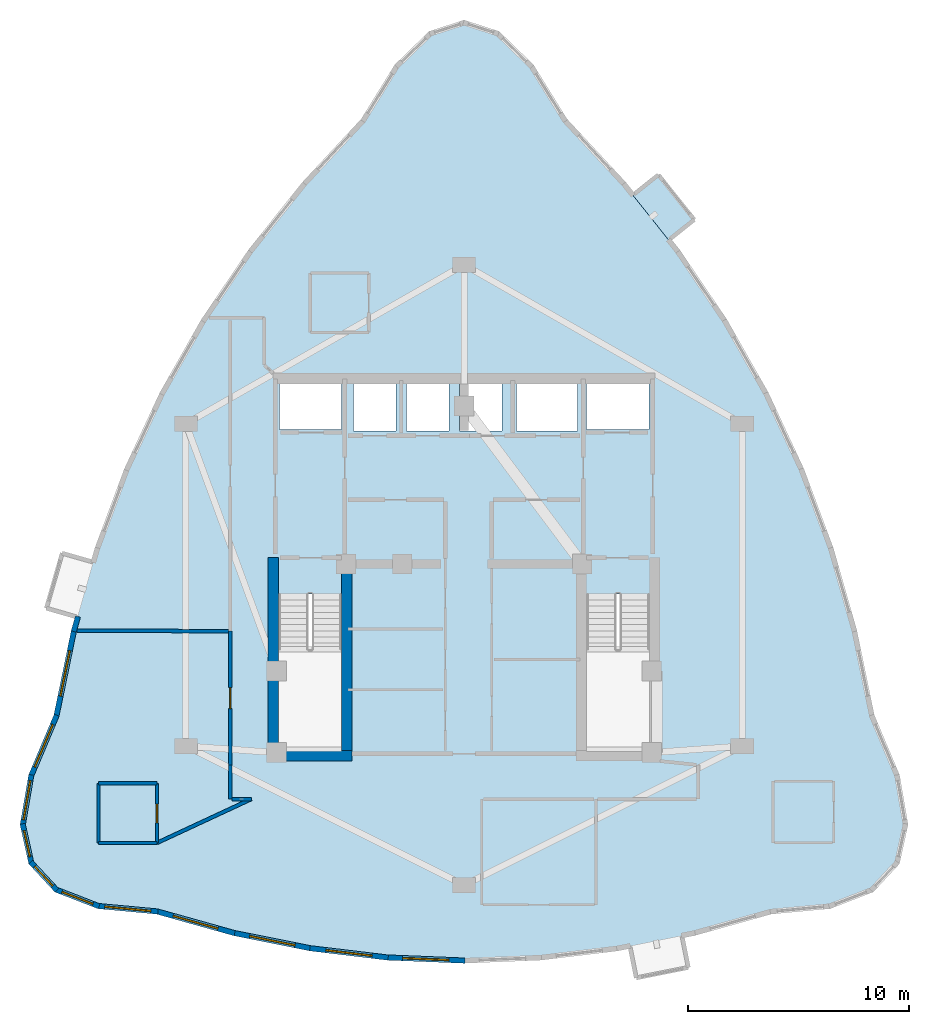
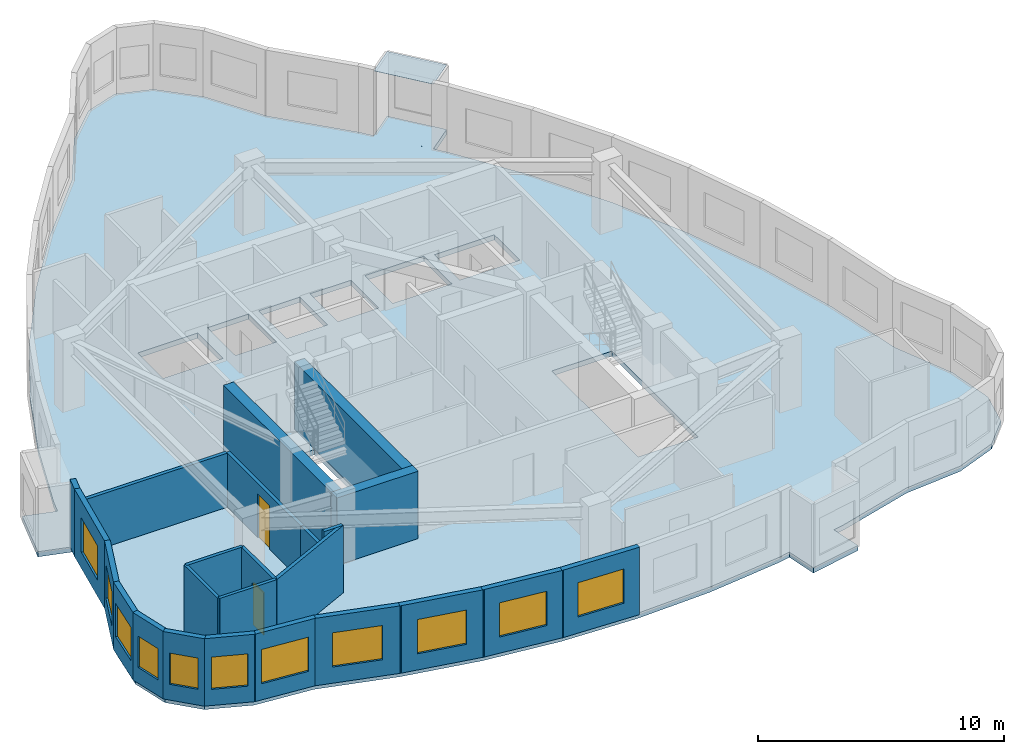
# One storey, part 5 of 10: 24 walls, 11 windows, 2 doors, 1 plate, 1 slab, 13 openings.
"""IFC4 building model written with IfcOpenShell, lengths in metres."""

from ifc_helpers import new_model, si_unit, direction, frame, frame_2d, origin, place, context, subcontext, project, spatial, polyline, rectangle, outline, extrude, material, layer, layer_set, type_object, element, fill, save


model = new_model("IFC4")

# Units and contexts
model_context = context("Model", 3, precision=1e-05, world=origin(), true_north=direction((0.0, 1.0)))
body_context = subcontext(model_context, "Body", "Model", "MODEL_VIEW")
ifc_project = project(units=[si_unit("LENGTHUNIT", "METRE"), si_unit("AREAUNIT", "SQUARE_METRE"), si_unit("VOLUMEUNIT", "CUBIC_METRE"), si_unit("PLANEANGLEUNIT", "RADIAN"), si_unit("MASSUNIT", "GRAM", prefix="KILO")], contexts=[model_context])

# Site, building, storey
site_placement = place(None, origin())
site = spatial("IfcSite", under=ifc_project, at=site_placement, CompositionType="ELEMENT")
building_placement = place(site_placement, origin())
building = spatial("IfcBuilding", under=site, at=building_placement, Name="Miruveldt Soraemaru", CompositionType="ELEMENT")
storey_placement = place(building_placement, frame((0.0, 0.0, 226.800048828125)))
storey = spatial("IfcBuildingStorey", under=building, at=storey_placement, Name="L62", CompositionType="ELEMENT", Elevation=226.800048828125)

# Plate
ifc_material_1 = material(Name="Standing-seam titanium-zinc sheet", Category="aluminium")
ifc_layer_1 = layer(ifc_material_1, 0.011962890625, Name="Standing-seam titanium-zinc sheet", Category="aluminium")
ifc_layer_set_1 = layer_set([ifc_layer_1], Name="Standing-seam titanium-zinc sheet")
plate_type = type_object("IfcPlateType", Name="PLT-ZINC-12", PredefinedType="SHEET", material=ifc_layer_set_1)
plate_placement = place(storey_placement, frame((0.0, 0.0, 3.195068359375)))
element("IfcPlate", 1, at=plate_placement, inside=storey, type_object=plate_type, Name="L62 Bay Window Zinc Hood Sheet 3", PredefinedType="SHEET", context=body_context, shape_type="SweptSolid", body=[
    extrude(outline(polyline([(53.265869140625, 58.718505859375), (51.64453125, 60.7509765625), (52.801513671875, 61.673828125), (54.4228515625, 59.641357421875), (53.265869140625, 58.718505859375)])), origin(), (0.0, 0.0, 1.0), 0.011962890625),
])

# Slab
ifc_material_2 = material(Name="Concrete C40/50 (40 MPa)", Category="concrete")
ifc_layer_2 = layer(ifc_material_2, 0.2548828125, Name="Concrete C40/50 (40 MPa)", Category="concrete")
ifc_layer_set_2 = layer_set([ifc_layer_2], Name="Concrete C40/50 (40 MPa)")
slab_type = type_object("IfcSlabType", Name="SLAB-RES3-255", PredefinedType="FLOOR", material=ifc_layer_set_2)
slab_placement = place(storey_placement, frame((0.0, 0.0, -0.255126953125)))
element("IfcSlab", 2, at=slab_placement, inside=storey, type_object=slab_type, Name="L62 Structural Floor Slab", PredefinedType="FLOOR", context=body_context, shape_type="SweptSolid", body=[
    extrude(outline(polyline([(51.796142578125, 25.2958984375), (51.505859375, 26.747314453125), (50.949951171875, 26.635986328125), (47.47509765625, 26.218994140625), (44.0, 26.080078125), (40.52490234375, 26.218994140625), (37.050048828125, 26.635986328125), (33.574951171875, 27.3310546875), (30.099853515625, 28.303955078125), (27.435302734375, 28.55029296875), (25.53173828125, 29.28857421875), (24.389892578125, 30.519287109375), (24.009033203125, 32.242431640625), (24.389892578125, 34.4580078125), (25.53173828125, 37.16552734375), (26.32568359375, 41.022705078125), (26.857421875, 42.881591796875), (26.499755859375, 41.6318359375), (25.076904296875, 42.038818359375), (25.7919921875, 44.53857421875), (27.21484375, 44.131591796875), (27.388916015625, 44.74072265625), (28.721923828125, 48.31982421875), (30.32470703125, 51.760009765625), (32.197021484375, 55.06103515625), (34.339111328125, 58.22314453125), (36.75048828125, 61.246337890625), (39.431884765625, 64.13037109375), (40.95458984375, 66.591796875), (42.477294921875, 68.06884765625), (44.0, 68.561279296875), (45.522705078125, 68.06884765625), (47.04541015625, 66.591796875), (48.568115234375, 64.13037109375), (51.24951171875, 61.246337890625), (51.64453125, 60.7509765625), (52.801513671875, 61.673828125), (54.4228515625, 59.641357421875), (53.265869140625, 58.718505859375), (52.455078125, 59.734619140625), (53.660888671875, 58.22314453125), (55.802978515625, 55.06103515625), (57.67529296875, 51.760009765625), (59.278076171875, 48.31982421875), (60.611083984375, 44.74072265625), (61.67431640625, 41.022705078125), (62.46826171875, 37.16552734375), (63.610107421875, 34.4580078125), (63.990966796875, 32.242431640625), (63.610107421875, 30.519287109375), (62.46826171875, 29.28857421875), (60.564697265625, 28.55029296875), (57.900146484375, 28.303955078125), (54.425048828125, 27.3310546875), (52.6875, 26.9833984375), (53.869140625, 27.2197265625), (54.159423828125, 25.7685546875), (51.796142578125, 25.2958984375)]), holes=[polyline([(35.614990234375, 35.6650390625), (38.43505859375, 35.6650390625), (38.43505859375, 42.68505859375), (35.614990234375, 42.68505859375), (35.614990234375, 35.6650390625)]), polyline([(49.56494140625, 35.6650390625), (52.385009765625, 35.6650390625), (52.385009765625, 42.68505859375), (49.56494140625, 42.68505859375), (49.56494140625, 35.6650390625)]), polyline([(38.445068359375, 50.135009765625), (38.445068359375, 52.205078125), (35.635009765625, 52.205078125), (35.635009765625, 50.135009765625), (38.445068359375, 50.135009765625)]), polyline([(52.364990234375, 50.135009765625), (52.364990234375, 52.205078125), (49.554931640625, 52.205078125), (49.554931640625, 50.135009765625), (52.364990234375, 50.135009765625)]), polyline([(40.9150390625, 50.06494140625), (40.9150390625, 52.3349609375), (38.985107421875, 52.3349609375), (38.985107421875, 50.06494140625), (40.9150390625, 50.06494140625)]), polyline([(43.31494140625, 50.06494140625), (43.31494140625, 52.3349609375), (41.385009765625, 52.3349609375), (41.385009765625, 50.06494140625), (43.31494140625, 50.06494140625)]), polyline([(45.715087890625, 50.06494140625), (45.715087890625, 52.3349609375), (43.784912109375, 52.3349609375), (43.784912109375, 50.06494140625), (45.715087890625, 50.06494140625)]), polyline([(49.135009765625, 50.06494140625), (49.135009765625, 52.3349609375), (46.364990234375, 52.3349609375), (46.364990234375, 50.06494140625), (49.135009765625, 50.06494140625)])]), origin(), (0.0, 0.0, 1.0), 0.255126953125),
])

# Walls
ifc_material_3 = material(Name="Concrete C60/75 (60 MPa)", Category="concrete")
ifc_layer_3 = layer(ifc_material_3, 0.47998046875, Name="Concrete C60/75 (60 MPa)", Category="concrete")
ifc_layer_set_3 = layer_set([ifc_layer_3], Name="Concrete C60/75 (60 MPa)")
wall_type_1 = type_object("IfcWallType", Name="WALL-CW-480", PredefinedType="SHEAR", material=ifc_layer_set_3)
wall_1_placement = place(storey_placement, frame((35.1201171875, 35.360107421875, 0.0), z_axis=(0.0, 0.0, 1.0), x_axis=(1.0, 0.0, 0.0)))
element("IfcWall", 3, at=wall_1_placement, inside=storey, type_object=wall_type_1, Name="L62 Central Core Shear Wall S1", PredefinedType="SHEAR", context=body_context, shape_type="SweptSolid", body=[
    extrude(rectangle(XDim=3.809814453125, YDim=0.47998046875, at=frame_2d((1.90478515625, 0.0))), origin(), (0.0, 0.0, 1.0), 3.344970703125),
])
wall_2_placement = place(storey_placement, frame((35.360107421875, 35.1201171875, 0.0), z_axis=(0.0, 0.0, 1.0), x_axis=(0.0, 1.0, 0.0)))
element("IfcWall", 4, at=wall_2_placement, inside=storey, type_object=wall_type_1, Name="L62 Central Core Shear Wall W1", PredefinedType="SHEAR", context=body_context, shape_type="SweptSolid", body=[
    extrude(rectangle(XDim=9.22998046875, YDim=0.47998046875, at=frame_2d((4.614990234375, 0.0))), origin(), (0.0, 0.0, 1.0), 3.344970703125),
])
wall_3_placement = place(storey_placement, frame((38.68994140625, 35.39990234375, 0.0), z_axis=(0.0, 0.0, 1.0), x_axis=(0.0, 1.0, 0.0)))
element("IfcWall", 5, at=wall_3_placement, inside=storey, type_object=wall_type_1, Name="L62 Central Core Shear Wall SW-INT", PredefinedType="SHEAR", context=body_context, shape_type="SweptSolid", body=[
    extrude(rectangle(XDim=8.9501953125, YDim=0.47998046875, at=frame_2d((4.47509765625, 0.0))), origin(), (0.0, 0.0, 1.0), 3.344970703125),
])
ifc_material_4 = material(Name="Precast concrete C45/55 (45 MPa)", Category="concrete")
ifc_layer_4 = layer(ifc_material_4, 0.239990234375, Name="Precast concrete C45/55 (45 MPa)", Category="concrete")
ifc_layer_set_4 = layer_set([ifc_layer_4], Name="Precast concrete C45/55 (45 MPa)")
wall_type_2 = type_object("IfcWallType", Name="WALL-EXT-PC240", PredefinedType="SOLIDWALL", material=ifc_layer_set_4)
wall_4_placement = place(storey_placement, frame((26.508056640625, 41.66064453125, 0.0), z_axis=(0.0, 0.0, 1.0), x_axis=(-0.275044220603, -0.961431576719, 0.0)))
element("IfcWall", 6, at=wall_4_placement, inside=storey, type_object=wall_type_2, Name="L62 Precast Pier Wall 13B", PredefinedType="SOLIDWALL", context=body_context, shape_type="SweptSolid", body=[
    extrude(rectangle(XDim=0.698486328125, YDim=0.239990234375, at=frame_2d((0.34912109375, 0.0))), origin(), (0.0, 0.0, 1.0), 3.344970703125),
])

# Wall, opening, window
wall_5_placement = place(storey_placement, frame((26.332763671875, 41.056884765625, 0.0), z_axis=(0.0, 0.0, 1.0), x_axis=(-0.201630576479, -0.979461643266, 0.0)))
wall_5 = element("IfcWall", 7, at=wall_5_placement, inside=storey, type_object=wall_type_2, Name="L62 Precast Concrete Facade Wall 14", PredefinedType="SOLIDWALL", context=body_context, shape_type="SweptSolid", body=[
    extrude(rectangle(XDim=4.0078125, YDim=0.239990234375, at=frame_2d((2.00390625, 0.0))), origin(), (0.0, 0.0, 1.0), 3.344970703125),
])
opening_1_placement = place(wall_5_placement, frame((0.9541015625, 0.0, 0.800048828125)))
opening_1 = element("IfcOpeningElement", 8, at=opening_1_placement, cuts=wall_5, Name="Opening WN-1", PredefinedType="OPENING", context=body_context, shape_type="SweptSolid", body=[
    extrude(rectangle(XDim=2.10009765625, YDim=1.699951171875, at=frame_2d((1.050048828125, 0.85009765625))), frame((0.0, 0.1298828125, 0.0), z_axis=(0.0, -1.0, 0.0), x_axis=(1.0, 0.0, 0.0)), (0.0, 0.0, 1.0), 0.260009765625),
])
ifc_material_5 = material(Name="Triple low-e insulated glazing", Category="glass")
window_type_1 = type_object("IfcWindowType", Name="WIN-PUNCH-2100x1700", PartitioningType="SINGLE_PANEL", PredefinedType="WINDOW", material=ifc_material_5)
window_1_placement = place(opening_1_placement, origin())
window_1 = element("IfcWindow", 9, at=window_1_placement, inside=storey, type_object=window_type_1, Name="L62 Punched Triple-Glazed Window 14.1", OverallHeight=1.699951171875, OverallWidth=2.10009765625, PartitioningType="SINGLE_PANEL", PredefinedType="WINDOW", context=body_context, shape_type="SweptSolid", body=[
    extrude(rectangle(XDim=2.10009765625, YDim=1.699951171875, at=frame_2d((1.050048828125, 0.85009765625))), frame((0.0, 0.030029296875, 0.0), z_axis=(0.0, -1.0, 0.0), x_axis=(1.0, 0.0, 0.0)), (0.0, 0.0, 1.0), 0.06005859375),
])
fill(opening_1, window_1)

wall_6_placement = place(storey_placement, frame((25.54541015625, 37.19775390625, 0.0), z_axis=(0.0, 0.0, 1.0), x_axis=(-0.388633766868, -0.921392313431, 0.0)))
wall_6 = element("IfcWall", 10, at=wall_6_placement, inside=storey, type_object=wall_type_2, Name="L62 Precast Concrete Facade Wall 15", PredefinedType="SOLIDWALL", context=body_context, shape_type="SweptSolid", body=[
    extrude(rectangle(XDim=3.008544921875, YDim=0.239990234375, at=frame_2d((1.50439453125, 0.0))), origin(), (0.0, 0.0, 1.0), 3.344970703125),
])
opening_2_placement = place(wall_6_placement, frame((0.455078125, 0.0, 0.800048828125)))
opening_2 = element("IfcOpeningElement", 11, at=opening_2_placement, cuts=wall_6, Name="Opening WN-1", PredefinedType="OPENING", context=body_context, shape_type="SweptSolid", body=[
    extrude(rectangle(XDim=2.10009765625, YDim=1.699951171875, at=frame_2d((1.050048828125, 0.85009765625))), frame((0.0, 0.1298828125, 0.0), z_axis=(0.0, -1.0, 0.0), x_axis=(1.0, 0.0, 0.0)), (0.0, 0.0, 1.0), 0.260009765625),
])
window_2_placement = place(opening_2_placement, origin())
window_2 = element("IfcWindow", 12, at=window_2_placement, inside=storey, type_object=window_type_1, Name="L62 Punched Triple-Glazed Window 15.1", OverallHeight=1.699951171875, OverallWidth=2.10009765625, PartitioningType="SINGLE_PANEL", PredefinedType="WINDOW", context=body_context, shape_type="SweptSolid", body=[
    extrude(rectangle(XDim=2.10009765625, YDim=1.699951171875, at=frame_2d((1.050048828125, 0.85009765625))), frame((0.0, 0.030029296875, 0.0), z_axis=(0.0, -1.0, 0.0), x_axis=(1.0, 0.0, 0.0)), (0.0, 0.0, 1.0), 0.06005859375),
])
fill(opening_2, window_2)

wall_7_placement = place(storey_placement, frame((24.395751953125, 34.492431640625, 0.0), z_axis=(0.0, 0.0, 1.0), x_axis=(-0.169367237658, -0.985553011668, 0.0)))
wall_7 = element("IfcWall", 13, at=wall_7_placement, inside=storey, type_object=wall_type_2, Name="L62 Precast Concrete Facade Wall 16", PredefinedType="SOLIDWALL", context=body_context, shape_type="SweptSolid", body=[
    extrude(rectangle(XDim=2.31787109375, YDim=0.239990234375, at=frame_2d((1.158935546875, 0.0))), origin(), (0.0, 0.0, 1.0), 3.344970703125),
])
opening_3_placement = place(wall_7_placement, frame((0.259033203125, 0.0, 0.800048828125)))
opening_3 = element("IfcOpeningElement", 14, at=opening_3_placement, cuts=wall_7, Name="Opening WN-2", PredefinedType="OPENING", context=body_context, shape_type="SweptSolid", body=[
    extrude(rectangle(XDim=1.800048828125, YDim=1.64990234375, at=frame_2d((0.89990234375, 0.824951171875))), frame((0.0, 0.1298828125, 0.0), z_axis=(0.0, -1.0, 0.0), x_axis=(1.0, 0.0, 0.0)), (0.0, 0.0, 1.0), 0.260009765625),
])
window_type_2 = type_object("IfcWindowType", Name="WIN-PUNCH-1800x1650", PartitioningType="SINGLE_PANEL", PredefinedType="WINDOW", material=ifc_material_5)
window_3_placement = place(opening_3_placement, origin())
window_3 = element("IfcWindow", 15, at=window_3_placement, inside=storey, type_object=window_type_2, Name="L62 Punched Triple-Glazed Window 16.1", OverallHeight=1.64990234375, OverallWidth=1.800048828125, PartitioningType="SINGLE_PANEL", PredefinedType="WINDOW", context=body_context, shape_type="SweptSolid", body=[
    extrude(rectangle(XDim=1.800048828125, YDim=1.64990234375, at=frame_2d((0.89990234375, 0.824951171875))), frame((0.0, 0.030029296875, 0.0), z_axis=(0.0, -1.0, 0.0), x_axis=(1.0, 0.0, 0.0)), (0.0, 0.0, 1.0), 0.06005859375),
])
fill(opening_3, window_3)

wall_8_placement = place(storey_placement, frame((24.00146484375, 32.276611328125, 0.0), z_axis=(0.0, 0.0, 1.0), x_axis=(0.215831360357, -0.97643065493, 0.0)))
wall_8 = element("IfcWall", 16, at=wall_8_placement, inside=storey, type_object=wall_type_2, Name="L62 Precast Concrete Facade Wall 17", PredefinedType="SOLIDWALL", context=body_context, shape_type="SweptSolid", body=[
    extrude(rectangle(XDim=1.834716796875, YDim=0.239990234375, at=frame_2d((0.91748046875, 0.0))), origin(), (0.0, 0.0, 1.0), 3.344970703125),
])
opening_4_placement = place(wall_8_placement, frame((0.318115234375, 0.0, 0.780029296875)))
opening_4 = element("IfcOpeningElement", 17, at=opening_4_placement, cuts=wall_8, Name="Opening WN-4", PredefinedType="OPENING", context=body_context, shape_type="SweptSolid", body=[
    extrude(rectangle(XDim=1.199951171875, YDim=1.550048828125, at=frame_2d((0.60009765625, 0.77490234375))), frame((0.0, 0.1298828125, 0.0), z_axis=(0.0, -1.0, 0.0), x_axis=(1.0, 0.0, 0.0)), (0.0, 0.0, 1.0), 0.260009765625),
])
window_type_3 = type_object("IfcWindowType", Name="WIN-PUNCH-1200x1550", PartitioningType="SINGLE_PANEL", PredefinedType="WINDOW", material=ifc_material_5)
window_4_placement = place(opening_4_placement, origin())
window_4 = element("IfcWindow", 18, at=window_4_placement, inside=storey, type_object=window_type_3, Name="L62 Punched Triple-Glazed Window 17.1", OverallHeight=1.550048828125, OverallWidth=1.199951171875, PartitioningType="SINGLE_PANEL", PredefinedType="WINDOW", context=body_context, shape_type="SweptSolid", body=[
    extrude(rectangle(XDim=1.199951171875, YDim=1.550048828125, at=frame_2d((0.60009765625, 0.77490234375))), frame((0.0, 0.030029296875, 0.0), z_axis=(0.0, -1.0, 0.0), x_axis=(1.0, 0.0, 0.0)), (0.0, 0.0, 1.0), 0.06005859375),
])
fill(opening_4, window_4)

wall_9_placement = place(storey_placement, frame((24.365966796875, 30.545166015625, 0.0), z_axis=(0.0, 0.0, 1.0), x_axis=(0.680161948571, -0.733061882597, 0.0)))
wall_9 = element("IfcWall", 19, at=wall_9_placement, inside=storey, type_object=wall_type_2, Name="L62 Precast Concrete Facade Wall 18", PredefinedType="SOLIDWALL", context=body_context, shape_type="SweptSolid", body=[
    extrude(rectangle(XDim=1.7490234375, YDim=0.239990234375, at=frame_2d((0.87451171875, 0.0))), origin(), (0.0, 0.0, 1.0), 3.344970703125),
])
opening_5_placement = place(wall_9_placement, frame((0.27392578125, 0.0, 0.780029296875)))
opening_5 = element("IfcOpeningElement", 20, at=opening_5_placement, cuts=wall_9, Name="Opening WN-4", PredefinedType="OPENING", context=body_context, shape_type="SweptSolid", body=[
    extrude(rectangle(XDim=1.199951171875, YDim=1.550048828125, at=frame_2d((0.60009765625, 0.77490234375))), frame((0.0, 0.1298828125, 0.0), z_axis=(0.0, -1.0, 0.0), x_axis=(1.0, 0.0, 0.0)), (0.0, 0.0, 1.0), 0.260009765625),
])
window_5_placement = place(opening_5_placement, origin())
window_5 = element("IfcWindow", 21, at=window_5_placement, inside=storey, type_object=window_type_3, Name="L62 Punched Triple-Glazed Window 18.1", OverallHeight=1.550048828125, OverallWidth=1.199951171875, PartitioningType="SINGLE_PANEL", PredefinedType="WINDOW", context=body_context, shape_type="SweptSolid", body=[
    extrude(rectangle(XDim=1.199951171875, YDim=1.550048828125, at=frame_2d((0.60009765625, 0.77490234375))), frame((0.0, 0.030029296875, 0.0), z_axis=(0.0, -1.0, 0.0), x_axis=(1.0, 0.0, 0.0)), (0.0, 0.0, 1.0), 0.06005859375),
])
fill(opening_5, window_5)

wall_10_placement = place(storey_placement, frame((25.499267578125, 29.30126953125, 0.0), z_axis=(0.0, 0.0, 1.0), x_axis=(0.93230164069, -0.361681698137, 0.0)))
wall_10 = element("IfcWall", 22, at=wall_10_placement, inside=storey, type_object=wall_type_2, Name="L62 Precast Concrete Facade Wall 19", PredefinedType="SOLIDWALL", context=body_context, shape_type="SweptSolid", body=[
    extrude(rectangle(XDim=2.111328125, YDim=0.239990234375, at=frame_2d((1.0556640625, 0.0))), origin(), (0.0, 0.0, 1.0), 3.344970703125),
])
opening_6_placement = place(wall_10_placement, frame((0.305908203125, 0.0, 0.800048828125)))
opening_6 = element("IfcOpeningElement", 23, at=opening_6_placement, cuts=wall_10, Name="Opening WN-3", PredefinedType="OPENING", context=body_context, shape_type="SweptSolid", body=[
    extrude(rectangle(XDim=1.5, YDim=1.60009765625, at=frame_2d((0.75, 0.800048828125))), frame((0.0, 0.1298828125, 0.0), z_axis=(0.0, -1.0, 0.0), x_axis=(1.0, 0.0, 0.0)), (0.0, 0.0, 1.0), 0.260009765625),
])
window_type_4 = type_object("IfcWindowType", Name="WIN-PUNCH-1500x1600", PartitioningType="SINGLE_PANEL", PredefinedType="WINDOW", material=ifc_material_5)
window_6_placement = place(opening_6_placement, origin())
window_6 = element("IfcWindow", 24, at=window_6_placement, inside=storey, type_object=window_type_4, Name="L62 Punched Triple-Glazed Window 19.1", OverallHeight=1.60009765625, OverallWidth=1.5, PartitioningType="SINGLE_PANEL", PredefinedType="WINDOW", context=body_context, shape_type="SweptSolid", body=[
    extrude(rectangle(XDim=1.5, YDim=1.60009765625, at=frame_2d((0.75, 0.800048828125))), frame((0.0, 0.030029296875, 0.0), z_axis=(0.0, -1.0, 0.0), x_axis=(1.0, 0.0, 0.0)), (0.0, 0.0, 1.0), 0.06005859375),
])
fill(opening_6, window_6)

wall_11_placement = place(storey_placement, frame((27.400390625, 28.553466796875, 0.0), z_axis=(0.0, 0.0, 1.0), x_axis=(0.995757284453, -0.092018641911, 0.0)))
wall_11 = element("IfcWall", 25, at=wall_11_placement, inside=storey, type_object=wall_type_2, Name="L62 Precast Concrete Facade Wall 20", PredefinedType="SOLIDWALL", context=body_context, shape_type="SweptSolid", body=[
    extrude(rectangle(XDim=2.74609375, YDim=0.239990234375, at=frame_2d((1.373046875, 0.0))), origin(), (0.0, 0.0, 1.0), 3.344970703125),
])
opening_7_placement = place(wall_11_placement, frame((0.322998046875, 0.0, 0.800048828125)))
opening_7 = element("IfcOpeningElement", 26, at=opening_7_placement, cuts=wall_11, Name="Opening WN-1", PredefinedType="OPENING", context=body_context, shape_type="SweptSolid", body=[
    extrude(rectangle(XDim=2.10009765625, YDim=1.699951171875, at=frame_2d((1.050048828125, 0.85009765625))), frame((0.0, 0.1298828125, 0.0), z_axis=(0.0, -1.0, 0.0), x_axis=(1.0, 0.0, 0.0)), (0.0, 0.0, 1.0), 0.260009765625),
])
window_7_placement = place(opening_7_placement, origin())
window_7 = element("IfcWindow", 27, at=window_7_placement, inside=storey, type_object=window_type_1, Name="L62 Punched Triple-Glazed Window 20.1", OverallHeight=1.699951171875, OverallWidth=2.10009765625, PartitioningType="SINGLE_PANEL", PredefinedType="WINDOW", context=body_context, shape_type="SweptSolid", body=[
    extrude(rectangle(XDim=2.10009765625, YDim=1.699951171875, at=frame_2d((1.050048828125, 0.85009765625))), frame((0.0, 0.030029296875, 0.0), z_axis=(0.0, -1.0, 0.0), x_axis=(1.0, 0.0, 0.0)), (0.0, 0.0, 1.0), 0.06005859375),
])
fill(opening_7, window_7)

wall_12_placement = place(storey_placement, frame((30.066162109375, 28.3134765625, 0.0), z_axis=(0.0, 0.0, 1.0), x_axis=(0.962960573366, -0.269642233603, 0.0)))
wall_12 = element("IfcWall", 28, at=wall_12_placement, inside=storey, type_object=wall_type_2, Name="L62 Precast Concrete Facade Wall 21", PredefinedType="SOLIDWALL", context=body_context, shape_type="SweptSolid", body=[
    extrude(rectangle(XDim=3.6787109375, YDim=0.239990234375, at=frame_2d((1.83935546875, 0.0))), origin(), (0.0, 0.0, 1.0), 3.344970703125),
])
opening_8_placement = place(wall_12_placement, frame((0.7900390625, 0.0, 0.800048828125)))
opening_8 = element("IfcOpeningElement", 29, at=opening_8_placement, cuts=wall_12, Name="Opening WN-1", PredefinedType="OPENING", context=body_context, shape_type="SweptSolid", body=[
    extrude(rectangle(XDim=2.10009765625, YDim=1.699951171875, at=frame_2d((1.050048828125, 0.85009765625))), frame((0.0, 0.1298828125, 0.0), z_axis=(0.0, -1.0, 0.0), x_axis=(1.0, 0.0, 0.0)), (0.0, 0.0, 1.0), 0.260009765625),
])
window_8_placement = place(opening_8_placement, origin())
window_8 = element("IfcWindow", 30, at=window_8_placement, inside=storey, type_object=window_type_1, Name="L62 Punched Triple-Glazed Window 21.1", OverallHeight=1.699951171875, OverallWidth=2.10009765625, PartitioningType="SINGLE_PANEL", PredefinedType="WINDOW", context=body_context, shape_type="SweptSolid", body=[
    extrude(rectangle(XDim=2.10009765625, YDim=1.699951171875, at=frame_2d((1.050048828125, 0.85009765625))), frame((0.0, 0.030029296875, 0.0), z_axis=(0.0, -1.0, 0.0), x_axis=(1.0, 0.0, 0.0)), (0.0, 0.0, 1.0), 0.06005859375),
])
fill(opening_8, window_8)

wall_13_placement = place(storey_placement, frame((33.54052734375, 27.337890625, 0.0), z_axis=(0.0, 0.0, 1.0), x_axis=(0.980580675691, -0.196116135138, 0.0)))
wall_13 = element("IfcWall", 31, at=wall_13_placement, inside=storey, type_object=wall_type_2, Name="L62 Precast Concrete Facade Wall 22", PredefinedType="SOLIDWALL", context=body_context, shape_type="SweptSolid", body=[
    extrude(rectangle(XDim=3.61376953125, YDim=0.239990234375, at=frame_2d((1.806884765625, 0.0))), origin(), (0.0, 0.0, 1.0), 3.344970703125),
])
opening_9_placement = place(wall_13_placement, frame((0.757080078125, 0.0, 0.800048828125)))
opening_9 = element("IfcOpeningElement", 32, at=opening_9_placement, cuts=wall_13, Name="Opening WN-1", PredefinedType="OPENING", context=body_context, shape_type="SweptSolid", body=[
    extrude(rectangle(XDim=2.10009765625, YDim=1.699951171875, at=frame_2d((1.050048828125, 0.85009765625))), frame((0.0, 0.1298828125, 0.0), z_axis=(0.0, -1.0, 0.0), x_axis=(1.0, 0.0, 0.0)), (0.0, 0.0, 1.0), 0.260009765625),
])
window_9_placement = place(opening_9_placement, origin())
window_9 = element("IfcWindow", 33, at=window_9_placement, inside=storey, type_object=window_type_1, Name="L62 Punched Triple-Glazed Window 22.1", OverallHeight=1.699951171875, OverallWidth=2.10009765625, PartitioningType="SINGLE_PANEL", PredefinedType="WINDOW", context=body_context, shape_type="SweptSolid", body=[
    extrude(rectangle(XDim=2.10009765625, YDim=1.699951171875, at=frame_2d((1.050048828125, 0.85009765625))), frame((0.0, 0.030029296875, 0.0), z_axis=(0.0, -1.0, 0.0), x_axis=(1.0, 0.0, 0.0)), (0.0, 0.0, 1.0), 0.06005859375),
])
fill(opening_9, window_9)

wall_14_placement = place(storey_placement, frame((37.01513671875, 26.64013671875, 0.0), z_axis=(0.0, 0.0, 1.0), x_axis=(0.99287910342, -0.119126344663, 0.0)))
wall_14 = element("IfcWall", 34, at=wall_14_placement, inside=storey, type_object=wall_type_2, Name="L62 Precast Concrete Facade Wall 23", PredefinedType="SOLIDWALL", context=body_context, shape_type="SweptSolid", body=[
    extrude(rectangle(XDim=3.570068359375, YDim=0.239990234375, at=frame_2d((1.78515625, 0.0))), origin(), (0.0, 0.0, 1.0), 3.344970703125),
])
opening_10_placement = place(wall_14_placement, frame((0.735107421875, 0.0, 0.800048828125)))
opening_10 = element("IfcOpeningElement", 35, at=opening_10_placement, cuts=wall_14, Name="Opening WN-1", PredefinedType="OPENING", context=body_context, shape_type="SweptSolid", body=[
    extrude(rectangle(XDim=2.10009765625, YDim=1.699951171875, at=frame_2d((1.050048828125, 0.85009765625))), frame((0.0, 0.1298828125, 0.0), z_axis=(0.0, -1.0, 0.0), x_axis=(1.0, 0.0, 0.0)), (0.0, 0.0, 1.0), 0.260009765625),
])
window_10_placement = place(opening_10_placement, origin())
window_10 = element("IfcWindow", 36, at=window_10_placement, inside=storey, type_object=window_type_1, Name="L62 Punched Triple-Glazed Window 23.1", OverallHeight=1.699951171875, OverallWidth=2.10009765625, PartitioningType="SINGLE_PANEL", PredefinedType="WINDOW", context=body_context, shape_type="SweptSolid", body=[
    extrude(rectangle(XDim=2.10009765625, YDim=1.699951171875, at=frame_2d((1.050048828125, 0.85009765625))), frame((0.0, 0.030029296875, 0.0), z_axis=(0.0, -1.0, 0.0), x_axis=(1.0, 0.0, 0.0)), (0.0, 0.0, 1.0), 0.06005859375),
])
fill(opening_10, window_10)

wall_15_placement = place(storey_placement, frame((40.489990234375, 26.220458984375, 0.0), z_axis=(0.0, 0.0, 1.0), x_axis=(0.999200408983, -0.03998177945, 0.0)))
wall_15 = element("IfcWall", 37, at=wall_15_placement, inside=storey, type_object=wall_type_2, Name="L62 Precast Concrete Facade Wall 24", PredefinedType="SOLIDWALL", context=body_context, shape_type="SweptSolid", body=[
    extrude(rectangle(XDim=3.5478515625, YDim=0.239990234375, at=frame_2d((1.77392578125, 0.0))), origin(), (0.0, 0.0, 1.0), 3.344970703125),
])
opening_11_placement = place(wall_15_placement, frame((0.72412109375, 0.0, 0.800048828125)))
opening_11 = element("IfcOpeningElement", 38, at=opening_11_placement, cuts=wall_15, Name="Opening WN-1", PredefinedType="OPENING", context=body_context, shape_type="SweptSolid", body=[
    extrude(rectangle(XDim=2.10009765625, YDim=1.699951171875, at=frame_2d((1.050048828125, 0.85009765625))), frame((0.0, 0.1298828125, 0.0), z_axis=(0.0, -1.0, 0.0), x_axis=(1.0, 0.0, 0.0)), (0.0, 0.0, 1.0), 0.260009765625),
])
window_11_placement = place(opening_11_placement, origin())
window_11 = element("IfcWindow", 39, at=window_11_placement, inside=storey, type_object=window_type_1, Name="L62 Punched Triple-Glazed Window 24.1", OverallHeight=1.699951171875, OverallWidth=2.10009765625, PartitioningType="SINGLE_PANEL", PredefinedType="WINDOW", context=body_context, shape_type="SweptSolid", body=[
    extrude(rectangle(XDim=2.10009765625, YDim=1.699951171875, at=frame_2d((1.050048828125, 0.85009765625))), frame((0.0, 0.030029296875, 0.0), z_axis=(0.0, -1.0, 0.0), x_axis=(1.0, 0.0, 0.0)), (0.0, 0.0, 1.0), 0.06005859375),
])
fill(opening_11, window_11)

# Wall, opening, door
ifc_material_6 = material(Name="Gypsum plasterboard lining", Category="gypsum")
ifc_layer_5 = layer(ifc_material_6, 0.14990234375, Name="Gypsum plasterboard lining", Category="gypsum")
ifc_layer_set_5 = layer_set([ifc_layer_5], Name="Gypsum plasterboard lining")
wall_type_3 = type_object("IfcWallType", Name="WALL-INT-PLUMB", PredefinedType="PLUMBINGWALL", material=ifc_layer_set_5)
wall_16_placement = place(storey_placement, frame((30.089111328125, 31.412109375, 0.0), z_axis=(0.0, 0.0, 1.0), x_axis=(0.0, 1.0, 0.0)))
wall_16 = element("IfcWall", 40, at=wall_16_placement, inside=storey, type_object=wall_type_3, Name="L62 Partition Wall 16", PredefinedType="PLUMBINGWALL", context=body_context, shape_type="SweptSolid", body=[
    extrude(rectangle(XDim=2.699951171875, YDim=0.14990234375, at=frame_2d((1.35009765625, 0.0))), origin(), (0.0, 0.0, 1.0), 3.344970703125),
])
opening_12_placement = place(wall_16_placement, frame((0.909912109375, 0.0, 0.0)))
opening_12 = element("IfcOpeningElement", 41, at=opening_12_placement, cuts=wall_16, Name="Opening FD3", PredefinedType="OPENING", context=body_context, shape_type="SweptSolid", body=[
    extrude(rectangle(XDim=0.85009765625, YDim=2.10009765625, at=frame_2d((0.425048828125, 1.050048828125))), frame((0.0, 0.0849609375, 0.0), z_axis=(0.0, -1.0, 0.0), x_axis=(1.0, 0.0, 0.0)), (0.0, 0.0, 1.0), 0.169921875),
])
ifc_material_7 = material(Name="Anodised aluminium EN AW-6063 T6", Category="aluminium")
door_type_1 = type_object("IfcDoorType", Name="DOOR-FD3-850", OperationType="NOTDEFINED", PredefinedType="DOOR", material=ifc_material_7)
door_1_placement = place(opening_12_placement, origin())
door_1 = element("IfcDoor", 42, at=door_1_placement, inside=storey, type_object=door_type_1, Name="L62 Unit CL02 BTH Door", OperationType="SINGLE_SWING_RIGHT", OverallHeight=2.10009765625, OverallWidth=0.85009765625, PredefinedType="DOOR", context=body_context, shape_type="SweptSolid", body=[
    extrude(rectangle(XDim=0.85009765625, YDim=2.10009765625, at=frame_2d((0.425048828125, 1.050048828125))), frame((0.0, 0.02490234375, 0.0), z_axis=(0.0, -1.0, 0.0), x_axis=(1.0, 0.0, 0.0)), (0.0, 0.0, 1.0), 0.050048828125),
])
fill(opening_12, door_1)

# Walls
wall_17_placement = place(storey_placement, frame((27.43896484375, 34.112060546875, 0.0), z_axis=(0.0, 0.0, 1.0), x_axis=(0.0, -1.0, 0.0)))
element("IfcWall", 43, at=wall_17_placement, inside=storey, type_object=wall_type_3, Name="L62 Partition Wall 24", PredefinedType="PLUMBINGWALL", context=body_context, shape_type="SweptSolid", body=[
    extrude(rectangle(XDim=2.699951171875, YDim=0.14990234375, at=frame_2d((1.35009765625, 0.0))), origin(), (0.0, 0.0, 1.0), 3.344970703125),
])
for number, where, z_axis, x_axis, name in (
    (44, (30.089111328125, 34.112060546875, 0.0), (0.0, 0.0, 1.0), (-1.0, 0.0, 0.0), "L62 Partition Wall 23"),
    (45, (27.43896484375, 31.412109375, 0.0), (0.0, 0.0, 1.0), (1.0, 0.0, 0.0), "L62 Partition Wall 25"),
):
    element("IfcWall", number, at=place(storey_placement, frame(where, z_axis=z_axis, x_axis=x_axis)), inside=storey, type_object=wall_type_3, Name=name, PredefinedType="PLUMBINGWALL", context=body_context, shape_type="SweptSolid", body=[
        extrude(rectangle(XDim=2.650146484375, YDim=0.14990234375, at=frame_2d((1.3251953125, 0.0))), origin(), (0.0, 0.0, 1.0), 3.344970703125),
    ])

# Wall, opening, door
ifc_layer_6 = layer(ifc_material_2, 0.159912109375, Name="Concrete C40/50 (40 MPa)", Category="concrete")
ifc_layer_set_6 = layer_set([ifc_layer_6], Name="Concrete C40/50 (40 MPa)")
wall_type_4 = type_object("IfcWallType", Name="WALL-INT-RC160", PredefinedType="SOLIDWALL", material=ifc_layer_set_6)
wall_18_placement = place(storey_placement, frame((33.39990234375, 41.0, 0.0), z_axis=(0.0, 0.0, 1.0), x_axis=(0.0, -1.0, 0.0)))
wall_18 = element("IfcWall", 46, at=wall_18_placement, inside=storey, type_object=wall_type_4, Name="L62 Partition Wall 4", PredefinedType="SOLIDWALL", context=body_context, shape_type="SweptSolid", body=[
    extrude(rectangle(XDim=6.050048828125, YDim=0.159912109375, at=frame_2d((3.02490234375, 0.0))), origin(), (0.0, 0.0, 1.0), 2.682861328125),
])
opening_13_placement = place(wall_18_placement, frame((2.550048828125, 0.0, 0.0)))
opening_13 = element("IfcOpeningElement", 47, at=opening_13_placement, cuts=wall_18, Name="Opening FD2", PredefinedType="OPENING", context=body_context, shape_type="SweptSolid", body=[
    extrude(rectangle(XDim=0.949951171875, YDim=2.14990234375, at=frame_2d((0.47509765625, 1.074951171875))), frame((0.0, 0.08984375, 0.0), z_axis=(0.0, -1.0, 0.0), x_axis=(1.0, 0.0, 0.0)), (0.0, 0.0, 1.0), 0.179931640625),
])
door_type_2 = type_object("IfcDoorType", Name="DOOR-FD2-950", OperationType="NOTDEFINED", PredefinedType="DOOR", material=ifc_material_7)
door_2_placement = place(opening_13_placement, origin())
door_2 = element("IfcDoor", 48, at=door_2_placement, inside=storey, type_object=door_type_2, Name="L62 Unit CL02 Entrance Fire Door", OperationType="SINGLE_SWING_LEFT", OverallHeight=2.14990234375, OverallWidth=0.949951171875, PredefinedType="DOOR", context=body_context, shape_type="SweptSolid", body=[
    extrude(rectangle(XDim=0.949951171875, YDim=2.14990234375, at=frame_2d((0.47509765625, 1.074951171875))), frame((0.0, 0.02490234375, 0.0), z_axis=(0.0, -1.0, 0.0), x_axis=(1.0, 0.0, 0.0)), (0.0, 0.0, 1.0), 0.050048828125),
])
fill(opening_13, door_2)

# Walls
wall_19_placement = place(storey_placement, frame((26.461181640625, 41.03076171875, 0.0), z_axis=(0.0, 0.0, 1.0), x_axis=(0.999989942793, -0.004484898298, 0.0)))
element("IfcWall", 49, at=wall_19_placement, inside=storey, type_object=wall_type_4, Name="L62 Partition Wall 15", PredefinedType="SOLIDWALL", context=body_context, shape_type="SweptSolid", body=[
    extrude(rectangle(XDim=6.85888671875, YDim=0.159912109375, at=frame_2d((3.429443359375, 0.0))), origin(), (0.0, 0.0, 1.0), 2.682861328125),
])
wall_20_placement = place(storey_placement, frame((34.363037109375, 33.39990234375, 0.0), z_axis=(0.0, 0.0, 1.0), x_axis=(-0.906727560279, -0.421716885399, 0.0)))
element("IfcWall", 50, at=wall_20_placement, inside=storey, type_object=wall_type_4, Name="L62 Partition Closure Return 2", PredefinedType="SOLIDWALL", context=body_context, shape_type="SweptSolid", body=[
    extrude(rectangle(XDim=4.713623046875, YDim=0.159912109375, at=frame_2d((2.35693359375, 0.0))), origin(), (0.0, 0.0, 1.0), 3.344970703125),
])
wall_21_placement = place(storey_placement, frame((33.39990234375, 34.949951171875, 0.0), z_axis=(0.0, 0.0, 1.0), x_axis=(0.0, -1.0, 0.0)))
element("IfcWall", 51, at=wall_21_placement, inside=storey, type_object=wall_type_4, Name="L62 Partition Wall 5", PredefinedType="SOLIDWALL", context=body_context, shape_type="SweptSolid", body=[
    extrude(rectangle(XDim=1.550048828125, YDim=0.159912109375, at=frame_2d((0.77490234375, 0.0))), origin(), (0.0, 0.0, 1.0), 2.682861328125),
])
wall_22_placement = place(storey_placement, frame((33.47998046875, 33.39990234375, 0.0), z_axis=(0.0, 0.0, 1.0), x_axis=(1.0, 0.0, 0.0)))
element("IfcWall", 52, at=wall_22_placement, inside=storey, type_object=wall_type_4, Name="L62 Partition Wall 6", PredefinedType="SOLIDWALL", context=body_context, shape_type="SweptSolid", body=[
    extrude(rectangle(XDim=0.883056640625, YDim=0.159912109375, at=frame_2d((0.44140625, 0.0))), origin(), (0.0, 0.0, 1.0), 3.344970703125),
])

save(model, "model.ifc")
